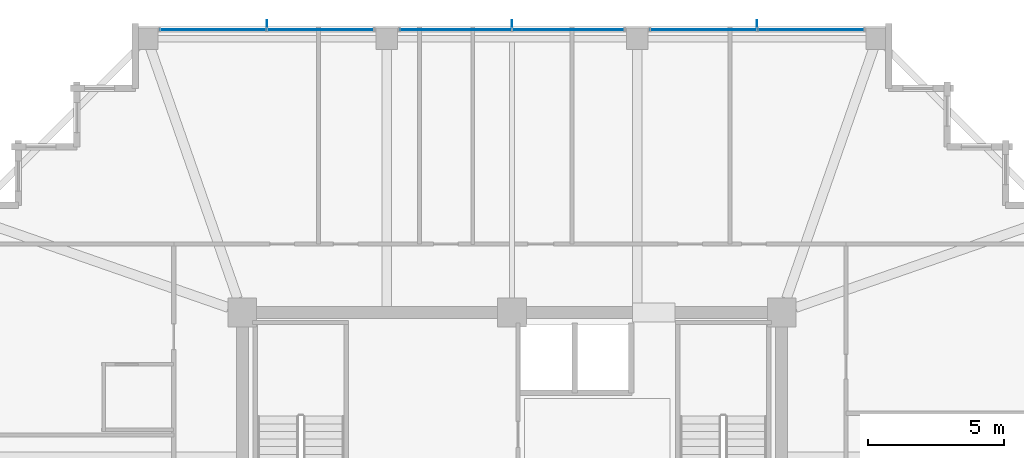
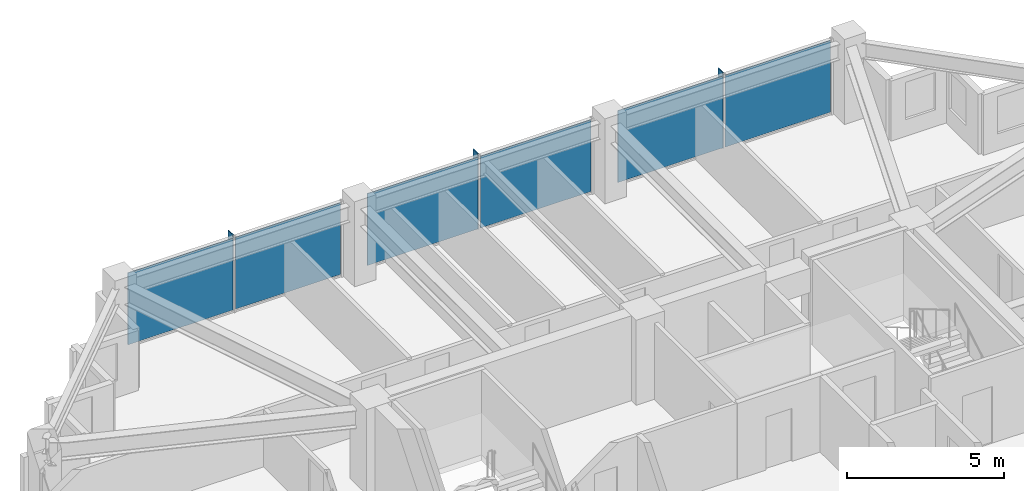
# One storey, part 27 of 34: 9 plates, 3 elements without a shape of their own.
"""IFC4 building model written with IfcOpenShell, lengths in metres."""

from ifc_helpers import new_model, si_unit, direction, frame, origin, origin_2d, place, context, subcontext, project, spatial, rectangle, extrude, material, layer, layer_set, type_object, element, aggregate, save


model = new_model("IFC4")

# Units and contexts
model_context = context("Model", 3, precision=1e-05, world=origin(), true_north=direction((0.0, 1.0)))
body_context = subcontext(model_context, "Body", "Model", "MODEL_VIEW")
ifc_project = project(units=[si_unit("LENGTHUNIT", "METRE"), si_unit("AREAUNIT", "SQUARE_METRE"), si_unit("VOLUMEUNIT", "CUBIC_METRE"), si_unit("PLANEANGLEUNIT", "RADIAN"), si_unit("MASSUNIT", "GRAM", prefix="KILO")], contexts=[model_context])

# Site, building, storey
site_placement = place(None, origin())
site = spatial("IfcSite", under=ifc_project, at=site_placement, CompositionType="ELEMENT")
building_placement = place(site_placement, origin())
building = spatial("IfcBuilding", under=site, at=building_placement, Name="Kolvaren Belvedere", CompositionType="ELEMENT")
storey_placement = place(building_placement, frame((0.0, 0.0, 229.5)))
storey = spatial("IfcBuildingStorey", under=building, at=storey_placement, Name="L67", CompositionType="ELEMENT", Elevation=229.5)

# Curtain wall, plates
ifc_material_1 = material(Name="Anodised pale-metal aluminium AA 6063-T6", Category="aluminium")
curtain_wall_type = type_object("IfcCurtainWallType", Name="CW-Z5-HIGH", PredefinedType="NOTDEFINED", material=ifc_material_1)
curtain_wall_1_placement = place(storey_placement, origin())
curtain_wall_1 = element("IfcCurtainWall", 1, at=curtain_wall_1_placement, inside=storey, type_object=curtain_wall_type, Name="L67 Unitised Curtain Wall FCW-L67-N-B1", PredefinedType="NOTDEFINED")
ifc_material_2 = material(Name="Low-iron triple insulated glass", Category="glass")
ifc_layer_1 = layer(ifc_material_2, 0.028076171875)
ifc_layer_set_1 = layer_set([ifc_layer_1], Name="Low-iron triple insulated glass")
plate_type_1 = type_object("IfcPlateType", Name="CW-PNL-VIS28", PredefinedType="CURTAIN_PANEL", material=ifc_layer_set_1)
plate_1_placement = place(storey_placement, frame((-10.972412109375, 20.280029296875, 0.080078125), z_axis=(0.0, 0.0, 1.0), x_axis=(1.0, 0.0, 0.0)))
plate_1 = element("IfcPlate", 2, at=plate_1_placement, type_object=plate_type_1, Name="FCW-L67-N-B1 Vision Glazing Panel 1", PredefinedType="CURTAIN_PANEL", context=body_context, shape_type="SweptSolid", body=[
    extrude(rectangle(XDim=3.864990234375, YDim=0.028076171875, at=origin_2d()), origin(), (0.0, 0.0, 1.0), 2.7900390625),
])
plate_2_placement = place(storey_placement, frame((-7.027587890625, 20.280029296875, 0.080078125), z_axis=(0.0, 0.0, 1.0), x_axis=(1.0, 0.0, 0.0)))
plate_2 = element("IfcPlate", 3, at=plate_2_placement, type_object=plate_type_1, Name="FCW-L67-N-B1 Vision Glazing Panel 2", PredefinedType="CURTAIN_PANEL", context=body_context, shape_type="SweptSolid", body=[
    extrude(rectangle(XDim=3.864990234375, YDim=0.028076171875, at=origin_2d()), origin(), (0.0, 0.0, 1.0), 2.7900390625),
])
aggregate(curtain_wall_1, [plate_1, plate_2])

curtain_wall_2_placement = place(storey_placement, origin())
curtain_wall_2 = element("IfcCurtainWall", 4, at=curtain_wall_2_placement, inside=storey, type_object=curtain_wall_type, Name="L67 Unitised Curtain Wall FCW-L67-N-B2", PredefinedType="NOTDEFINED")
plate_3_placement = place(storey_placement, frame((-2.072509765625, 20.280029296875, 0.080078125), z_axis=(0.0, 0.0, 1.0), x_axis=(1.0, 0.0, 0.0)))
plate_3 = element("IfcPlate", 5, at=plate_3_placement, type_object=plate_type_1, Name="FCW-L67-N-B2 Vision Glazing Panel 1", PredefinedType="CURTAIN_PANEL", context=body_context, shape_type="SweptSolid", body=[
    extrude(rectangle(XDim=4.06494140625, YDim=0.028076171875, at=origin_2d()), origin(), (0.0, 0.0, 1.0), 2.7900390625),
])
plate_4_placement = place(storey_placement, frame((2.072509765625, 20.280029296875, 0.080078125), z_axis=(0.0, 0.0, 1.0), x_axis=(1.0, 0.0, 0.0)))
plate_4 = element("IfcPlate", 6, at=plate_4_placement, type_object=plate_type_1, Name="FCW-L67-N-B2 Vision Glazing Panel 2", PredefinedType="CURTAIN_PANEL", context=body_context, shape_type="SweptSolid", body=[
    extrude(rectangle(XDim=4.06494140625, YDim=0.028076171875, at=origin_2d()), origin(), (0.0, 0.0, 1.0), 2.7900390625),
])
aggregate(curtain_wall_2, [plate_3, plate_4])

curtain_wall_3_placement = place(storey_placement, origin())
curtain_wall_3 = element("IfcCurtainWall", 7, at=curtain_wall_3_placement, inside=storey, type_object=curtain_wall_type, Name="L67 Unitised Curtain Wall FCW-L67-N-B3", PredefinedType="NOTDEFINED")
plate_5_placement = place(storey_placement, frame((7.027587890625, 20.280029296875, 0.080078125), z_axis=(0.0, 0.0, 1.0), x_axis=(1.0, 0.0, 0.0)))
plate_5 = element("IfcPlate", 8, at=plate_5_placement, type_object=plate_type_1, Name="FCW-L67-N-B3 Vision Glazing Panel 1", PredefinedType="CURTAIN_PANEL", context=body_context, shape_type="SweptSolid", body=[
    extrude(rectangle(XDim=3.864990234375, YDim=0.028076171875, at=origin_2d()), origin(), (0.0, 0.0, 1.0), 2.7900390625),
])
plate_6_placement = place(storey_placement, frame((10.972412109375, 20.280029296875, 0.080078125), z_axis=(0.0, 0.0, 1.0), x_axis=(1.0, 0.0, 0.0)))
plate_6 = element("IfcPlate", 9, at=plate_6_placement, type_object=plate_type_1, Name="FCW-L67-N-B3 Vision Glazing Panel 2", PredefinedType="CURTAIN_PANEL", context=body_context, shape_type="SweptSolid", body=[
    extrude(rectangle(XDim=3.864990234375, YDim=0.028076171875, at=origin_2d()), origin(), (0.0, 0.0, 1.0), 2.7900390625),
])
aggregate(curtain_wall_3, [plate_5, plate_6])

# Plates
ifc_material_3 = material(Name="Anodised pale-metal aluminium AA 6063-T6", Category="aluminium")
ifc_layer_2 = layer(ifc_material_3, 0.030029296875)
ifc_layer_set_2 = layer_set([ifc_layer_2], Name="Anodised pale-metal aluminium AA 6063-T6")
plate_type_2 = type_object("IfcPlateType", Name="FIN-VERT-300", PredefinedType="USERDEFINED", material=ifc_layer_set_2)
for number, where, z_axis, x_axis, name in (
    (10, (-9.0, 20.489990234375, 0.0), (0.0, 0.0, 1.0), (0.0, 1.0, 0.0), "L67 Pale-Metal Vertical Shading Fin FCW-L67-N-B1-1"),
    (11, (0.0, 20.489990234375, 0.0), (0.0, 0.0, 1.0), (0.0, 1.0, 0.0), "L67 Pale-Metal Vertical Shading Fin FCW-L67-N-B2-1"),
    (12, (9.0, 20.489990234375, 0.0), (0.0, 0.0, 1.0), (0.0, 1.0, 0.0), "L67 Pale-Metal Vertical Shading Fin FCW-L67-N-B3-1"),
):
    element("IfcPlate", number, at=place(storey_placement, frame(where, z_axis=z_axis, x_axis=x_axis)), inside=storey, type_object=plate_type_2, Name=name, ObjectType="VERTICAL FIN", PredefinedType="USERDEFINED", context=body_context, shape_type="SweptSolid", body=[
        extrude(rectangle(XDim=0.300048828125, YDim=0.030029296875, at=origin_2d()), origin(), (0.0, 0.0, 1.0), 2.949951171875),
    ])

save(model, "model.ifc")
